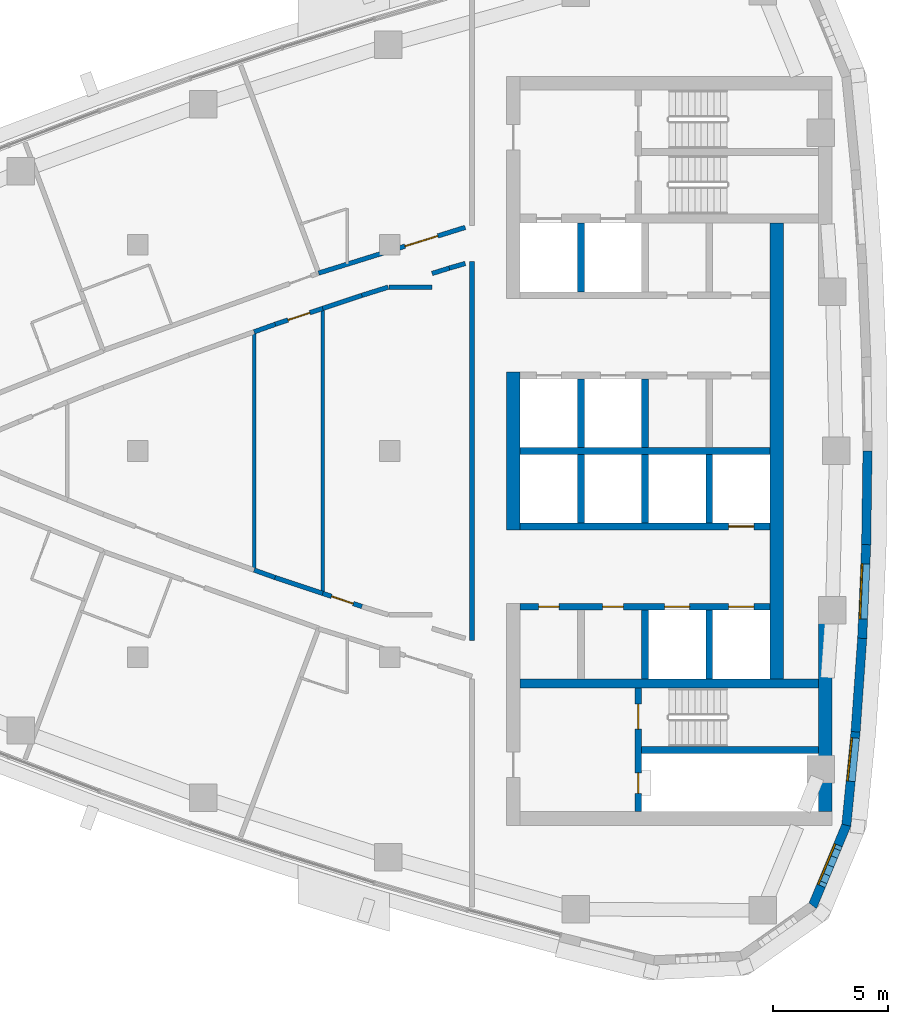
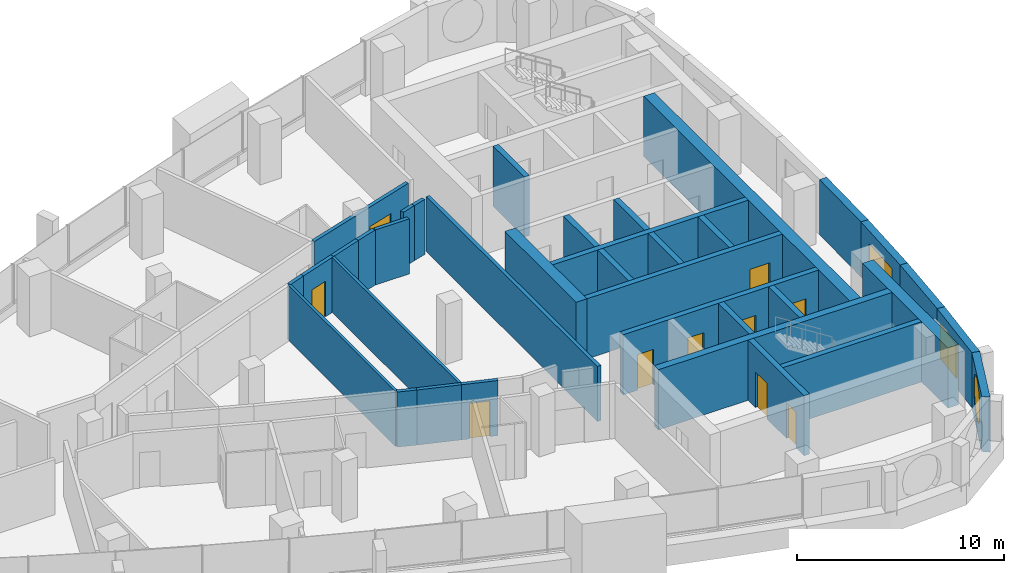
# One storey, part 10 of 16: 36 walls, 10 doors, 3 windows, 13 openings.
"""IFC4 building model written with IfcOpenShell, lengths in metres."""

from ifc_helpers import new_model, si_unit, direction, frame, frame_2d, origin, place, context, subcontext, project, spatial, polyline, rectangle, outline, extrude, material, layer, layer_set, type_object, element, fill, save


model = new_model("IFC4")

# Units and contexts
model_context = context("Model", 3, precision=1e-05, world=origin(), true_north=direction((0.0, 1.0)))
body_context = subcontext(model_context, "Body", "Model", "MODEL_VIEW")
ifc_project = project(units=[si_unit("LENGTHUNIT", "METRE"), si_unit("AREAUNIT", "SQUARE_METRE"), si_unit("VOLUMEUNIT", "CUBIC_METRE"), si_unit("PLANEANGLEUNIT", "RADIAN"), si_unit("MASSUNIT", "GRAM", prefix="KILO")], contexts=[model_context])

# Site, building, storey
site_placement = place(None, origin())
site = spatial("IfcSite", under=ifc_project, at=site_placement, CompositionType="ELEMENT")
building_placement = place(site_placement, origin())
building = spatial("IfcBuilding", under=site, at=building_placement, Name="Ostrand Prow Hotel Tower", CompositionType="ELEMENT")
storey_placement = place(building_placement, frame((0.0, 0.0, 227.89990234375)))
storey = spatial("IfcBuildingStorey", under=building, at=storey_placement, Name="L57", CompositionType="ELEMENT", Elevation=227.89990234375)

# Walls
ifc_material_1 = material(Name="Concrete C50/60", Category="concrete")
ifc_layer_1 = layer(ifc_material_1, 0.300048828125)
ifc_layer_set_1 = layer_set([ifc_layer_1], Name="Concrete C50/60")
wall_type_1 = type_object("IfcWallType", Name="Core wall 300 C50/60", PredefinedType="SHEAR", material=ifc_layer_set_1)
wall_1_placement = place(storey_placement, frame((50.699951171875, 0.0, 0.0), z_axis=(0.0, 0.0, 1.0), x_axis=(1.0, 0.0, 0.0)))
element("IfcWall", 1, at=wall_1_placement, inside=storey, type_object=wall_type_1, Name="Core wall PW-C", PredefinedType="SHEAR", context=body_context, shape_type="SweptSolid", body=[
    extrude(rectangle(XDim=10.900146484375, YDim=0.300048828125, at=frame_2d((5.4501953125, 0.0))), origin(), (0.0, 0.0, 1.0), 3.550048828125),
])
for number, where, z_axis, x_axis, name in (
    (2, (53.35009765625, 0.14990234375, 0.0), (0.0, 0.0, 1.0), (0.0, 1.0, 0.0), "Core wall PW-R1-NB"),
    (3, (53.35009765625, 6.949951171875, 0.0), (0.0, 0.0, 1.0), (0.0, 1.0, 0.0), "Core wall PW-R1-NA"),
    (4, (56.14990234375, 0.14990234375, 0.0), (0.0, 0.0, 1.0), (0.0, 1.0, 0.0), "Core wall PW-R2-NB"),
):
    element("IfcWall", number, at=place(storey_placement, frame(where, z_axis=z_axis, x_axis=x_axis)), inside=storey, type_object=wall_type_1, Name=name, PredefinedType="SHEAR", context=body_context, shape_type="SweptSolid", body=[
        extrude(rectangle(XDim=3.0, YDim=0.300048828125, at=frame_2d((1.5, 0.0))), origin(), (0.0, 0.0, 1.0), 3.550048828125),
    ])

# Wall, opening, door
wall_2_placement = place(storey_placement, frame((50.699951171875, -3.300048828125, 0.0), z_axis=(0.0, 0.0, 1.0), x_axis=(1.0, 0.0, 0.0)))
wall_2 = element("IfcWall", 5, at=wall_2_placement, inside=storey, type_object=wall_type_1, Name="Core wall PW-L1-S", PredefinedType="SHEAR", context=body_context, shape_type="SweptSolid", body=[
    extrude(rectangle(XDim=10.900146484375, YDim=0.300048828125, at=frame_2d((5.4501953125, 0.0))), origin(), (0.0, 0.0, 1.0), 3.550048828125),
])
opening_1_placement = place(wall_2_placement, frame((9.10009765625, 0.0, 0.0)))
opening_1 = element("IfcOpeningElement", 6, at=opening_1_placement, cuts=wall_2, Name="Opening LD", PredefinedType="OPENING", context=body_context, shape_type="SweptSolid", body=[
    extrude(rectangle(XDim=1.10009765625, YDim=2.10009765625, at=frame_2d((0.550048828125, 1.050048828125))), frame((0.0, 0.159912109375, 0.0), z_axis=(0.0, -1.0, 0.0), x_axis=(1.0, 0.0, 0.0)), (0.0, 0.0, 1.0), 0.320068359375),
])
ifc_material_2 = material(Name="Stainless steel door", Category="steel")
door_type_1 = type_object("IfcDoorType", Name="Lift landing door 1100", OperationType="DOUBLE_DOOR_SLIDING", PredefinedType="DOOR", material=ifc_material_2)
door_1_placement = place(opening_1_placement, origin())
door_1 = element("IfcDoor", 7, at=door_1_placement, inside=storey, type_object=door_type_1, Name="LIFT LANDING DOOR", OperationType="DOUBLE_DOOR_SLIDING", OverallHeight=2.10009765625, OverallWidth=1.10009765625, PredefinedType="DOOR", context=body_context, shape_type="SweptSolid", body=[
    extrude(rectangle(XDim=1.10009765625, YDim=2.10009765625, at=frame_2d((0.550048828125, 1.050048828125))), frame((0.0, 0.02490234375, 0.0), z_axis=(0.0, -1.0, 0.0), x_axis=(1.0, 0.0, 0.0)), (0.0, 0.0, 1.0), 0.050048828125),
])
fill(opening_1, door_1)

# Wall, openings, doors
wall_3_placement = place(storey_placement, frame((50.699951171875, -6.800048828125, 0.0), z_axis=(0.0, 0.0, 1.0), x_axis=(1.0, 0.0, 0.0)))
wall_3 = element("IfcWall", 8, at=wall_3_placement, inside=storey, type_object=wall_type_1, Name="Core wall PW-L2-S", PredefinedType="SHEAR", context=body_context, shape_type="SweptSolid", body=[
    extrude(rectangle(XDim=10.900146484375, YDim=0.300048828125, at=frame_2d((5.4501953125, 0.0))), origin(), (0.0, 0.0, 1.0), 3.550048828125),
])
opening_2_placement = place(wall_3_placement, frame((6.300048828125, 0.0, 0.0)))
opening_2 = element("IfcOpeningElement", 9, at=opening_2_placement, cuts=wall_3, Name="Opening LD", PredefinedType="OPENING", context=body_context, shape_type="SweptSolid", body=[
    extrude(rectangle(XDim=1.10009765625, YDim=2.10009765625, at=frame_2d((0.550048828125, 1.050048828125))), frame((0.0, 0.159912109375, 0.0), z_axis=(0.0, -1.0, 0.0), x_axis=(1.0, 0.0, 0.0)), (0.0, 0.0, 1.0), 0.320068359375),
])
opening_3_placement = place(wall_3_placement, frame((9.10009765625, 0.0, 0.0)))
opening_3 = element("IfcOpeningElement", 10, at=opening_3_placement, cuts=wall_3, Name="Opening LD", PredefinedType="OPENING", context=body_context, shape_type="SweptSolid", body=[
    extrude(rectangle(XDim=1.10009765625, YDim=2.10009765625, at=frame_2d((0.550048828125, 1.050048828125))), frame((0.0, 0.159912109375, 0.0), z_axis=(0.0, -1.0, 0.0), x_axis=(1.0, 0.0, 0.0)), (0.0, 0.0, 1.0), 0.320068359375),
])
opening_4_placement = place(wall_3_placement, frame((0.800048828125, 0.0, 0.0)))
opening_4 = element("IfcOpeningElement", 11, at=opening_4_placement, cuts=wall_3, Name="Opening FD2", PredefinedType="OPENING", context=body_context, shape_type="SweptSolid", body=[
    extrude(rectangle(XDim=0.89990234375, YDim=2.10009765625, at=frame_2d((0.449951171875, 1.050048828125))), frame((0.0, 0.159912109375, 0.0), z_axis=(0.0, -1.0, 0.0), x_axis=(1.0, 0.0, 0.0)), (0.0, 0.0, 1.0), 0.320068359375),
])
opening_5_placement = place(wall_3_placement, frame((3.60009765625, 0.0, 0.0)))
opening_5 = element("IfcOpeningElement", 12, at=opening_5_placement, cuts=wall_3, Name="Opening FD2", PredefinedType="OPENING", context=body_context, shape_type="SweptSolid", body=[
    extrude(rectangle(XDim=0.89990234375, YDim=2.10009765625, at=frame_2d((0.449951171875, 1.050048828125))), frame((0.0, 0.159912109375, 0.0), z_axis=(0.0, -1.0, 0.0), x_axis=(1.0, 0.0, 0.0)), (0.0, 0.0, 1.0), 0.320068359375),
])
ifc_material_3 = material(Name="Steel fire door", Category="steel")
door_type_2 = type_object("IfcDoorType", Name="Fire door 900 EI120", OperationType="SINGLE_SWING_LEFT", PredefinedType="DOOR", material=ifc_material_3)
door_2_placement = place(opening_4_placement, origin())
door_2 = element("IfcDoor", 13, at=door_2_placement, inside=storey, type_object=door_type_2, Name="DOOR", OperationType="SINGLE_SWING_LEFT", OverallHeight=2.10009765625, OverallWidth=0.89990234375, PredefinedType="DOOR", context=body_context, shape_type="SweptSolid", body=[
    extrude(rectangle(XDim=0.89990234375, YDim=2.10009765625, at=frame_2d((0.449951171875, 1.050048828125))), frame((0.0, 0.02490234375, 0.0), z_axis=(0.0, -1.0, 0.0), x_axis=(1.0, 0.0, 0.0)), (0.0, 0.0, 1.0), 0.050048828125),
])
fill(opening_4, door_2)
door_3_placement = place(opening_5_placement, origin())
door_3 = element("IfcDoor", 14, at=door_3_placement, inside=storey, type_object=door_type_2, Name="DOOR", OperationType="SINGLE_SWING_LEFT", OverallHeight=2.10009765625, OverallWidth=0.89990234375, PredefinedType="DOOR", context=body_context, shape_type="SweptSolid", body=[
    extrude(rectangle(XDim=0.89990234375, YDim=2.10009765625, at=frame_2d((0.449951171875, 1.050048828125))), frame((0.0, 0.02490234375, 0.0), z_axis=(0.0, -1.0, 0.0), x_axis=(1.0, 0.0, 0.0)), (0.0, 0.0, 1.0), 0.050048828125),
])
fill(opening_5, door_3)
door_4_placement = place(opening_2_placement, origin())
door_4 = element("IfcDoor", 15, at=door_4_placement, inside=storey, type_object=door_type_1, Name="LIFT LANDING DOOR", OperationType="DOUBLE_DOOR_SLIDING", OverallHeight=2.10009765625, OverallWidth=1.10009765625, PredefinedType="DOOR", context=body_context, shape_type="SweptSolid", body=[
    extrude(rectangle(XDim=1.10009765625, YDim=2.10009765625, at=frame_2d((0.550048828125, 1.050048828125))), frame((0.0, 0.02490234375, 0.0), z_axis=(0.0, -1.0, 0.0), x_axis=(1.0, 0.0, 0.0)), (0.0, 0.0, 1.0), 0.050048828125),
])
fill(opening_2, door_4)
door_5_placement = place(opening_3_placement, origin())
door_5 = element("IfcDoor", 16, at=door_5_placement, inside=storey, type_object=door_type_1, Name="LIFT LANDING DOOR", OperationType="DOUBLE_DOOR_SLIDING", OverallHeight=2.10009765625, OverallWidth=1.10009765625, PredefinedType="DOOR", context=body_context, shape_type="SweptSolid", body=[
    extrude(rectangle(XDim=1.10009765625, YDim=2.10009765625, at=frame_2d((0.550048828125, 1.050048828125))), frame((0.0, 0.02490234375, 0.0), z_axis=(0.0, -1.0, 0.0), x_axis=(1.0, 0.0, 0.0)), (0.0, 0.0, 1.0), 0.050048828125),
])
fill(opening_3, door_5)

# Walls
for number, where, z_axis, x_axis, name in (
    (17, (53.35009765625, -3.14990234375, 0.0), (0.0, 0.0, 1.0), (0.0, 1.0, 0.0), "Core wall PW-R1-SB"),
    (18, (56.14990234375, -3.14990234375, 0.0), (0.0, 0.0, 1.0), (0.0, 1.0, 0.0), "Core wall PW-R2-SB"),
    (19, (56.14990234375, -9.949951171875, 0.0), (0.0, 0.0, 1.0), (0.0, 1.0, 0.0), "Core wall PW-R2-SA"),
    (20, (58.949951171875, -3.14990234375, 0.0), (0.0, 0.0, 1.0), (0.0, 1.0, 0.0), "Core wall PW-R3-SB"),
    (21, (58.949951171875, -9.949951171875, 0.0), (0.0, 0.0, 1.0), (0.0, 1.0, 0.0), "Core wall PW-R3-SA"),
):
    element("IfcWall", number, at=place(storey_placement, frame(where, z_axis=z_axis, x_axis=x_axis)), inside=storey, type_object=wall_type_1, Name=name, PredefinedType="SHEAR", context=body_context, shape_type="SweptSolid", body=[
        extrude(rectangle(XDim=3.0, YDim=0.300048828125, at=frame_2d((1.5, 0.0))), origin(), (0.0, 0.0, 1.0), 3.550048828125),
    ])

# Wall, openings, doors
wall_4_placement = place(storey_placement, frame((55.85009765625, -15.75, 0.0), z_axis=(0.0, 0.0, 1.0), x_axis=(0.0, 1.0, 0.0)))
wall_4 = element("IfcWall", 22, at=wall_4_placement, inside=storey, type_object=wall_type_1, Name="Core wall PW-VS", PredefinedType="SHEAR", context=body_context, shape_type="SweptSolid", body=[
    extrude(rectangle(XDim=5.39990234375, YDim=0.300048828125, at=frame_2d((2.699951171875, 0.0))), origin(), (0.0, 0.0, 1.0), 3.550048828125),
])
opening_6_placement = place(wall_4_placement, frame((3.60009765625, 0.0, 0.0)))
opening_6 = element("IfcOpeningElement", 23, at=opening_6_placement, cuts=wall_4, Name="Opening FD1", PredefinedType="OPENING", context=body_context, shape_type="SweptSolid", body=[
    extrude(rectangle(XDim=1.10009765625, YDim=2.10009765625, at=frame_2d((0.550048828125, 1.050048828125))), frame((0.0, 0.159912109375, 0.0), z_axis=(0.0, -1.0, 0.0), x_axis=(1.0, 0.0, 0.0)), (0.0, 0.0, 1.0), 0.320068359375),
])
opening_7_placement = place(wall_4_placement, frame((0.800048828125, 0.0, 0.0)))
opening_7 = element("IfcOpeningElement", 24, at=opening_7_placement, cuts=wall_4, Name="Opening FD2", PredefinedType="OPENING", context=body_context, shape_type="SweptSolid", body=[
    extrude(rectangle(XDim=0.89990234375, YDim=2.10009765625, at=frame_2d((0.449951171875, 1.050048828125))), frame((0.0, 0.159912109375, 0.0), z_axis=(0.0, -1.0, 0.0), x_axis=(1.0, 0.0, 0.0)), (0.0, 0.0, 1.0), 0.320068359375),
])
ifc_material_4 = material(Name="Steel fire door", Category="steel")
door_type_3 = type_object("IfcDoorType", Name="Fire door 1100 EI120", OperationType="SINGLE_SWING_RIGHT", PredefinedType="DOOR", material=ifc_material_4)
door_6_placement = place(opening_6_placement, origin())
door_6 = element("IfcDoor", 25, at=door_6_placement, inside=storey, type_object=door_type_3, Name="FIRE DOOR", OperationType="SINGLE_SWING_RIGHT", OverallHeight=2.10009765625, OverallWidth=1.10009765625, PredefinedType="DOOR", context=body_context, shape_type="SweptSolid", body=[
    extrude(rectangle(XDim=1.10009765625, YDim=2.10009765625, at=frame_2d((0.550048828125, 1.050048828125))), frame((0.0, 0.02490234375, 0.0), z_axis=(0.0, -1.0, 0.0), x_axis=(1.0, 0.0, 0.0)), (0.0, 0.0, 1.0), 0.050048828125),
])
fill(opening_6, door_6)
door_7_placement = place(opening_7_placement, origin())
door_7 = element("IfcDoor", 26, at=door_7_placement, inside=storey, type_object=door_type_2, Name="FIRE DOOR", OperationType="SINGLE_SWING_LEFT", OverallHeight=2.10009765625, OverallWidth=0.89990234375, PredefinedType="DOOR", context=body_context, shape_type="SweptSolid", body=[
    extrude(rectangle(XDim=0.89990234375, YDim=2.10009765625, at=frame_2d((0.449951171875, 1.050048828125))), frame((0.0, 0.02490234375, 0.0), z_axis=(0.0, -1.0, 0.0), x_axis=(1.0, 0.0, 0.0)), (0.0, 0.0, 1.0), 0.050048828125),
])
fill(opening_7, door_7)

# Walls
wall_5_placement = place(storey_placement, frame((56.0, -13.050048828125, 0.0), z_axis=(0.0, 0.0, 1.0), x_axis=(1.0, 0.0, 0.0)))
element("IfcWall", 27, at=wall_5_placement, inside=storey, type_object=wall_type_1, Name="Core wall PW-ST2R", PredefinedType="SHEAR", context=body_context, shape_type="SweptSolid", body=[
    extrude(rectangle(XDim=7.719970703125, YDim=0.300048828125, at=frame_2d((3.85986328125, 0.0))), origin(), (0.0, 0.0, 1.0), 3.550048828125),
])
ifc_material_5 = material(Name="Concrete C50/60", Category="concrete")
ifc_layer_2 = layer(ifc_material_5, 0.39990234375)
ifc_layer_set_2 = layer_set([ifc_layer_2], Name="Concrete C50/60")
wall_type_2 = type_object("IfcWallType", Name="Core wall 400 C50/60", PredefinedType="SHEAR", material=ifc_layer_set_2)
wall_6_placement = place(storey_placement, frame((50.699951171875, -10.14990234375, 0.0), z_axis=(0.0, 0.0, 1.0), x_axis=(1.0, 0.0, 0.0)))
element("IfcWall", 28, at=wall_6_placement, inside=storey, type_object=wall_type_2, Name="Core wall PW-BS", PredefinedType="SHEAR", context=body_context, shape_type="SweptSolid", body=[
    extrude(rectangle(XDim=13.02001953125, YDim=0.39990234375, at=frame_2d((6.510009765625, 0.0))), origin(), (0.0, 0.0, 1.0), 3.550048828125),
])
ifc_material_6 = material(Name="Concrete C50/60", Category="concrete")
ifc_layer_3 = layer(ifc_material_6, 0.60009765625)
ifc_layer_set_3 = layer_set([ifc_layer_3], Name="Concrete C50/60")
wall_type_3 = type_object("IfcWallType", Name="Core wall 600 C50/60", PredefinedType="SHEAR", material=ifc_layer_set_3)
wall_7_placement = place(storey_placement, frame((50.39990234375, -3.449951171875, 0.0), z_axis=(0.0, 0.0, 1.0), x_axis=(0.0, 1.0, 0.0)))
element("IfcWall", 29, at=wall_7_placement, inside=storey, type_object=wall_type_3, Name="Core wall CW-W-C", PredefinedType="SHEAR", context=body_context, shape_type="SweptSolid", body=[
    extrude(rectangle(XDim=6.89990234375, YDim=0.60009765625, at=frame_2d((3.449951171875, 0.0))), origin(), (0.0, 0.0, 1.0), 3.550048828125),
])
wall_8_placement = place(storey_placement, frame((64.02001953125, -15.75, 0.0), z_axis=(0.0, 0.0, 1.0), x_axis=(0.0, 1.0, 0.0)))
element("IfcWall", 30, at=wall_8_placement, inside=storey, type_object=wall_type_3, Name="Core wall CW-E-S", PredefinedType="SHEAR", context=body_context, shape_type="SweptSolid", body=[
    extrude(rectangle(XDim=8.247802734375, YDim=0.60009765625, at=frame_2d((4.1240234375, 0.0))), origin(), (0.0, 0.0, 1.0), 3.550048828125),
])
wall_9_placement = place(storey_placement, frame((61.89990234375, -9.949951171875, 0.0), z_axis=(0.0, 0.0, 1.0), x_axis=(0.0, 1.0, 0.0)))
element("IfcWall", 31, at=wall_9_placement, inside=storey, type_object=wall_type_3, Name="Core wall CW-E-C", PredefinedType="SHEAR", context=body_context, shape_type="SweptSolid", body=[
    extrude(rectangle(XDim=19.89990234375, YDim=0.60009765625, at=frame_2d((9.949951171875, 0.0))), origin(), (0.0, 0.0, 1.0), 3.550048828125),
])
ifc_material_7 = material(Name="Plasterboard partition")
ifc_layer_4 = layer(ifc_material_7, 0.14990234375)
ifc_layer_set_4 = layer_set([ifc_layer_4], Name="Plasterboard partition")
wall_type_4 = type_object("IfcWallType", Name="Partition 150 room partition", PredefinedType="PARTITIONING", material=ifc_layer_set_4)
wall_10_placement = place(storey_placement, frame((39.078369140625, -5.198974609375, 0.0), z_axis=(0.0, 0.0, 1.0), x_axis=(0.0, 1.0, 0.0)))
element("IfcWall", 32, at=wall_10_placement, inside=storey, type_object=wall_type_4, Name="ROOM PARTITION", PredefinedType="PARTITIONING", context=body_context, shape_type="SweptSolid", body=[
    extrude(rectangle(XDim=10.39794921875, YDim=0.14990234375, at=frame_2d((5.198974609375, 0.0))), origin(), (0.0, 0.0, 1.0), 3.25),
])
wall_11_placement = place(storey_placement, frame((42.078369140625, -6.221923828125, 0.0), z_axis=(0.0, 0.0, 1.0), x_axis=(0.0, 1.0, 0.0)))
element("IfcWall", 33, at=wall_11_placement, inside=storey, type_object=wall_type_4, Name="ROOM PARTITION", PredefinedType="PARTITIONING", context=body_context, shape_type="SweptSolid", body=[
    extrude(rectangle(XDim=12.44384765625, YDim=0.14990234375, at=frame_2d((6.221923828125, 0.0))), origin(), (0.0, 0.0, 1.0), 3.25),
])

# Wall, opening, door
ifc_material_8 = material(Name="Plasterboard partition")
ifc_layer_5 = layer(ifc_material_8, 0.199951171875)
ifc_layer_set_5 = layer_set([ifc_layer_5], Name="Plasterboard partition")
wall_type_5 = type_object("IfcWallType", Name="Partition 200 corridor wall", PredefinedType="PARTITIONING", material=ifc_layer_set_5)
wall_12_placement = place(storey_placement, frame((39.999267578125, 5.52734375, 0.0), z_axis=(0.0, 0.0, 1.0), x_axis=(0.9484714727, 0.316862534034, 0.0)))
wall_12 = element("IfcWall", 34, at=wall_12_placement, inside=storey, type_object=wall_type_5, Name="CORRIDOR WALL", PredefinedType="PARTITIONING", context=body_context, shape_type="SweptSolid", body=[
    extrude(rectangle(XDim=2.192138671875, YDim=0.199951171875, at=frame_2d((1.09619140625, 0.0))), origin(), (0.0, 0.0, 1.0), 3.25),
])
opening_8_placement = place(wall_12_placement, frame((0.595947265625, 0.0, 0.0)))
opening_8 = element("IfcOpeningElement", 35, at=opening_8_placement, cuts=wall_12, Name="Opening D1R", PredefinedType="OPENING", context=body_context, shape_type="SweptSolid", body=[
    extrude(rectangle(XDim=1.0, YDim=2.10009765625, at=frame_2d((0.5, 1.050048828125))), frame((0.0, 0.10986328125, 0.0), z_axis=(0.0, -1.0, 0.0), x_axis=(1.0, 0.0, 0.0)), (0.0, 0.0, 1.0), 0.219970703125),
])
ifc_material_9 = material(Name="Timber door leaf", Category="wood")
door_type_4 = type_object("IfcDoorType", Name="Guest room door 1000 right", OperationType="SINGLE_SWING_RIGHT", PredefinedType="DOOR", material=ifc_material_9)
door_8_placement = place(opening_8_placement, origin())
door_8 = element("IfcDoor", 36, at=door_8_placement, inside=storey, type_object=door_type_4, Name="DOOR", OperationType="SINGLE_SWING_RIGHT", OverallHeight=2.10009765625, OverallWidth=1.0, PredefinedType="DOOR", context=body_context, shape_type="SweptSolid", body=[
    extrude(rectangle(XDim=1.0, YDim=2.10009765625, at=frame_2d((0.5, 1.050048828125))), frame((0.0, 0.02490234375, 0.0), z_axis=(0.0, -1.0, 0.0), x_axis=(1.0, 0.0, 0.0)), (0.0, 0.0, 1.0), 0.050048828125),
])
fill(opening_8, door_8)

# Walls
wall_13_placement = place(storey_placement, frame((42.078369140625, -6.221923828125, 0.0), z_axis=(0.0, 0.0, 1.0), x_axis=(-0.9484714727, 0.316862534034, 0.0)))
element("IfcWall", 37, at=wall_13_placement, inside=storey, type_object=wall_type_5, Name="CORRIDOR WALL", PredefinedType="PARTITIONING", context=body_context, shape_type="SweptSolid", body=[
    extrude(rectangle(XDim=2.192138671875, YDim=0.199951171875, at=frame_2d((1.09619140625, 0.0))), origin(), (0.0, 0.0, 1.0), 3.25),
])
for number, where, z_axis, x_axis, name in (
    (38, (39.999267578125, -5.52734375, 0.0), (0.0, 0.0, 1.0), (-0.941911279377, 0.335861789704, 0.0), "CORRIDOR WALL"),
    (39, (39.078369140625, 5.198974609375, 0.0), (0.0, 0.0, 1.0), (0.941911279377, 0.335861789704, 0.0), "CORRIDOR WALL"),
):
    element("IfcWall", number, at=place(storey_placement, frame(where, z_axis=z_axis, x_axis=x_axis)), inside=storey, type_object=wall_type_5, Name=name, PredefinedType="PARTITIONING", context=body_context, shape_type="SweptSolid", body=[
        extrude(rectangle(XDim=0.977783203125, YDim=0.199951171875, at=frame_2d((0.48876953125, 0.0))), origin(), (0.0, 0.0, 1.0), 3.25),
    ])

# Wall, opening, door
wall_14_placement = place(storey_placement, frame((43.788330078125, -6.793212890625, 0.0), z_axis=(0.0, 0.0, 1.0), x_axis=(-0.948466406859, 0.316877697323, 0.0)))
wall_14 = element("IfcWall", 40, at=wall_14_placement, inside=storey, type_object=wall_type_5, Name="CORRIDOR WALL", PredefinedType="PARTITIONING", context=body_context, shape_type="SweptSolid", body=[
    extrude(rectangle(XDim=1.802978515625, YDim=0.199951171875, at=frame_2d((0.9013671875, 0.0))), origin(), (0.0, 0.0, 1.0), 3.25),
])
opening_9_placement = place(wall_14_placement, frame((0.401611328125, 0.0, 0.0)))
opening_9 = element("IfcOpeningElement", 41, at=opening_9_placement, cuts=wall_14, Name="Opening D1", PredefinedType="OPENING", context=body_context, shape_type="SweptSolid", body=[
    extrude(rectangle(XDim=1.0, YDim=2.10009765625, at=frame_2d((0.5, 1.050048828125))), frame((0.0, 0.10986328125, 0.0), z_axis=(0.0, -1.0, 0.0), x_axis=(1.0, 0.0, 0.0)), (0.0, 0.0, 1.0), 0.219970703125),
])
ifc_material_10 = material(Name="Timber door leaf", Category="wood")
door_type_5 = type_object("IfcDoorType", Name="Guest room door 1000", OperationType="SINGLE_SWING_LEFT", PredefinedType="DOOR", material=ifc_material_10)
door_9_placement = place(opening_9_placement, origin())
door_9 = element("IfcDoor", 42, at=door_9_placement, inside=storey, type_object=door_type_5, Name="DOOR", OperationType="SINGLE_SWING_LEFT", OverallHeight=2.10009765625, OverallWidth=1.0, PredefinedType="DOOR", context=body_context, shape_type="SweptSolid", body=[
    extrude(rectangle(XDim=1.0, YDim=2.10009765625, at=frame_2d((0.5, 1.050048828125))), frame((0.0, 0.02490234375, 0.0), z_axis=(0.0, -1.0, 0.0), x_axis=(1.0, 0.0, 0.0)), (0.0, 0.0, 1.0), 0.050048828125),
])
fill(opening_9, door_9)

# Walls
wall_15_placement = place(storey_placement, frame((43.788330078125, 6.793212890625, 0.0), z_axis=(0.0, 0.0, 1.0), x_axis=(0.954693570678, 0.29759063511, 0.0)))
element("IfcWall", 43, at=wall_15_placement, inside=storey, type_object=wall_type_5, Name="CORRIDOR WALL", PredefinedType="PARTITIONING", context=body_context, shape_type="SweptSolid", body=[
    extrude(rectangle(XDim=1.198486328125, YDim=0.199951171875, at=frame_2d((0.59912109375, 0.0))), origin(), (0.0, 0.0, 1.0), 3.25),
])
wall_16_placement = place(storey_placement, frame((46.85009765625, 7.747802734375, 0.0), z_axis=(0.0, 0.0, 1.0), x_axis=(0.95461224237, 0.297851417181, 0.0)))
element("IfcWall", 44, at=wall_16_placement, inside=storey, type_object=wall_type_5, Name="CORRIDOR WALL", PredefinedType="PARTITIONING", context=body_context, shape_type="SweptSolid", body=[
    extrude(rectangle(XDim=0.78759765625, YDim=0.199951171875, at=frame_2d((0.393798828125, 0.0))), origin(), (0.0, 0.0, 1.0), 3.25),
])
wall_17_placement = place(storey_placement, frame((42.078369140625, 6.221923828125, 0.0), z_axis=(0.0, 0.0, 1.0), x_axis=(0.948466406859, 0.316877697323, 0.0)))
element("IfcWall", 45, at=wall_17_placement, inside=storey, type_object=wall_type_5, Name="CORRIDOR WALL", PredefinedType="PARTITIONING", context=body_context, shape_type="SweptSolid", body=[
    extrude(rectangle(XDim=1.802978515625, YDim=0.199951171875, at=frame_2d((0.9013671875, 0.0))), origin(), (0.0, 0.0, 1.0), 3.25),
])

# Wall, opening, door
wall_18_placement = place(storey_placement, frame((41.8984375, 7.764404296875, 0.0), z_axis=(0.0, 0.0, 1.0), x_axis=(0.954667015156, 0.297675813886, 0.0)))
wall_18 = element("IfcWall", 46, at=wall_18_placement, inside=storey, type_object=wall_type_5, Name="CORRIDOR WALL", PredefinedType="PARTITIONING", context=body_context, shape_type="SweptSolid", body=[
    extrude(rectangle(XDim=6.70556640625, YDim=0.199951171875, at=frame_2d((3.352783203125, 0.0))), origin(), (0.0, 0.0, 1.0), 3.25),
])
opening_10_placement = place(wall_18_placement, frame((3.949951171875, 0.0, 0.0)))
opening_10 = element("IfcOpeningElement", 47, at=opening_10_placement, cuts=wall_18, Name="Opening D15", PredefinedType="OPENING", context=body_context, shape_type="SweptSolid", body=[
    extrude(rectangle(XDim=1.5, YDim=2.10009765625, at=frame_2d((0.75, 1.050048828125))), frame((0.0, 0.10986328125, 0.0), z_axis=(0.0, -1.0, 0.0), x_axis=(1.0, 0.0, 0.0)), (0.0, 0.0, 1.0), 0.219970703125),
])
ifc_material_11 = material(Name="Timber door leaf", Category="wood")
door_type_6 = type_object("IfcDoorType", Name="Double door 1500", OperationType="DOUBLE_DOOR_SINGLE_SWING", PredefinedType="DOOR", material=ifc_material_11)
door_10_placement = place(opening_10_placement, origin())
door_10 = element("IfcDoor", 48, at=door_10_placement, inside=storey, type_object=door_type_6, Name="DOOR", OperationType="DOUBLE_DOOR_SINGLE_SWING", OverallHeight=2.10009765625, OverallWidth=1.5, PredefinedType="DOOR", context=body_context, shape_type="SweptSolid", body=[
    extrude(rectangle(XDim=1.5, YDim=2.10009765625, at=frame_2d((0.75, 1.050048828125))), frame((0.0, 0.02490234375, 0.0), z_axis=(0.0, -1.0, 0.0), x_axis=(1.0, 0.0, 0.0)), (0.0, 0.0, 1.0), 0.050048828125),
])
fill(opening_10, door_10)

# Walls
wall_19_placement = place(storey_placement, frame((47.60205078125, 7.982421875, 0.0), z_axis=(0.0, 0.0, 1.0), x_axis=(0.960439023181, 0.278490363839, 0.0)))
element("IfcWall", 49, at=wall_19_placement, inside=storey, type_object=wall_type_5, Name="CORRIDOR WALL", PredefinedType="PARTITIONING", context=body_context, shape_type="SweptSolid", body=[
    extrude(rectangle(XDim=0.726806640625, YDim=0.199951171875, at=frame_2d((0.36328125, 0.0))), origin(), (0.0, 0.0, 1.0), 3.25),
])
wall_20_placement = place(storey_placement, frame((44.972412109375, 7.14501953125, 0.0), z_axis=(0.0, 0.0, 1.0), x_axis=(0.99999999156, 0.000129920747, 0.0)))
element("IfcWall", 50, at=wall_20_placement, inside=storey, type_object=wall_type_5, Name="CORRIDOR WALL", PredefinedType="PARTITIONING", context=body_context, shape_type="SweptSolid", body=[
    extrude(rectangle(XDim=1.879150390625, YDim=0.199951171875, at=frame_2d((0.939453125, 0.0))), origin(), (0.0, 0.0, 1.0), 3.25),
])
wall_21_placement = place(storey_placement, frame((48.594970703125, 8.264892578125, 0.0), z_axis=(0.0, 0.0, 1.0), x_axis=(0.0, -1.0, 0.0)))
element("IfcWall", 51, at=wall_21_placement, inside=storey, type_object=wall_type_5, Name="CORRIDOR WALL", PredefinedType="PARTITIONING", context=body_context, shape_type="SweptSolid", body=[
    extrude(rectangle(XDim=16.52978515625, YDim=0.199951171875, at=frame_2d((8.264892578125, 0.0))), origin(), (0.0, 0.0, 1.0), 3.25),
])

# Wall, opening, window
ifc_material_12 = material(Name="Precast concrete C40/50", Category="concrete")
ifc_layer_6 = layer(ifc_material_12, 0.39990234375)
ifc_layer_set_6 = layer_set([ifc_layer_6], Name="Precast concrete C40/50")
wall_type_6 = type_object("IfcWallType", Name="Stone-faced precast wall 400 mm", PredefinedType="NOTDEFINED", material=ifc_layer_set_6)
wall_22_placement = place(storey_placement, frame((63.471435546875, -19.85791015625, 0.0), z_axis=(0.0, 0.0, 1.0), x_axis=(0.3844335483, 0.923152667191, 0.0)))
wall_22 = element("IfcWall", 52, at=wall_22_placement, inside=storey, type_object=wall_type_6, Name="Stone-faced wall back 4", PredefinedType="NOTDEFINED", context=body_context, shape_type="SweptSolid", body=[
    extrude(outline(polyline([(-0.057861328125, -0.199951171875), (3.84326171875, -0.199951171875), (3.78369140625, 0.199951171875), (0.057861328125, 0.199951171875), (-0.057861328125, -0.199951171875)])), origin(), (0.0, 0.0, 1.0), 3.25),
])
opening_11_placement = place(wall_22_placement, frame((0.806884765625, 0.0, 0.60009765625)))
opening_11 = element("IfcOpeningElement", 53, at=opening_11_placement, cuts=wall_22, Name="Opening WP2", PredefinedType="OPENING", context=body_context, shape_type="SweptSolid", body=[
    extrude(outline(polyline([(0.0, 1.35009765625), (0.083740234375, 1.77099609375), (0.322265625, 2.127685546875), (0.678955078125, 2.3662109375), (1.10009765625, 2.449951171875), (1.52099609375, 2.3662109375), (1.877685546875, 2.127685546875), (2.1162109375, 1.77099609375), (2.199951171875, 1.35009765625), (2.199951171875, 1.10009765625), (2.1162109375, 0.678955078125), (1.877685546875, 0.322265625), (1.52099609375, 0.083740234375), (1.10009765625, 0.0), (0.678955078125, 0.083740234375), (0.322265625, 0.322265625), (0.083740234375, 0.678955078125), (0.0, 1.099853515625), (0.0, 1.35009765625)])), frame((0.0, 0.2099609375, 0.0), z_axis=(0.0, -1.0, 0.0), x_axis=(1.0, 0.0, 0.0)), (0.0, 0.0, 1.0), 0.419921875),
])
ifc_material_13 = material(Name="Insulated glass in bronze frame", Category="glass")
window_type_1 = type_object("IfcWindowType", Name="Round-ended prow lounge window 2200x2450", PartitioningType="SINGLE_PANEL", PredefinedType="WINDOW", material=ifc_material_13)
window_1_placement = place(opening_11_placement, origin())
window_1 = element("IfcWindow", 54, at=window_1_placement, inside=storey, type_object=window_type_1, Name="Window back 4.1", OverallHeight=2.449951171875, OverallWidth=2.199951171875, PartitioningType="SINGLE_PANEL", PredefinedType="WINDOW", context=body_context, shape_type="SweptSolid", body=[
    extrude(outline(polyline([(0.0, 1.35009765625), (0.083740234375, 1.77099609375), (0.322265625, 2.127685546875), (0.678955078125, 2.3662109375), (1.10009765625, 2.449951171875), (1.52099609375, 2.3662109375), (1.877685546875, 2.127685546875), (2.1162109375, 1.77099609375), (2.199951171875, 1.35009765625), (2.199951171875, 1.10009765625), (2.1162109375, 0.678955078125), (1.877685546875, 0.322265625), (1.52099609375, 0.083740234375), (1.10009765625, 0.0), (0.678955078125, 0.083740234375), (0.322265625, 0.322265625), (0.083740234375, 0.678955078125), (0.0, 1.099853515625), (0.0, 1.35009765625)])), frame((0.0, 0.169921875, 0.0), z_axis=(0.0, -1.0, 0.0), x_axis=(1.0, 0.0, 0.0)), (0.0, 0.0, 1.0), 0.06005859375),
])
fill(opening_11, window_1)

wall_23_placement = place(storey_placement, frame((64.9375, -16.33740234375, 0.0), z_axis=(0.0, 0.0, 1.0), x_axis=(0.098718218066, 0.995115427185, 0.0)))
wall_23 = element("IfcWall", 55, at=wall_23_placement, inside=storey, type_object=wall_type_6, Name="Stone-faced wall back 5", PredefinedType="NOTDEFINED", context=body_context, shape_type="SweptSolid", body=[
    extrude(outline(polyline([(-0.02978515625, -0.199951171875), (4.095703125, -0.199951171875), (4.09033203125, 0.199951171875), (0.02978515625, 0.199951171875), (-0.02978515625, -0.199951171875)])), origin(), (0.0, 0.0, 1.0), 3.25),
])
opening_12_placement = place(wall_23_placement, frame((1.92578125, 0.0, 0.5)))
opening_12 = element("IfcOpeningElement", 56, at=opening_12_placement, cuts=wall_23, Name="Opening WA1-19", PredefinedType="OPENING", context=body_context, shape_type="SweptSolid", body=[
    extrude(rectangle(XDim=1.89990234375, YDim=2.0, at=frame_2d((0.949951171875, 1.0))), frame((0.0, 0.2099609375, 0.0), z_axis=(0.0, -1.0, 0.0), x_axis=(1.0, 0.0, 0.0)), (0.0, 0.0, 1.0), 0.419921875),
])
ifc_material_14 = material(Name="Insulated glass in bronze frame", Category="glass")
window_type_2 = type_object("IfcWindowType", Name="Amenity picture window 1900x2000", PartitioningType="SINGLE_PANEL", PredefinedType="WINDOW", material=ifc_material_14)
window_2_placement = place(opening_12_placement, origin())
window_2 = element("IfcWindow", 57, at=window_2_placement, inside=storey, type_object=window_type_2, Name="Window back 5.1", OverallHeight=2.0, OverallWidth=1.89990234375, PartitioningType="SINGLE_PANEL", PredefinedType="WINDOW", context=body_context, shape_type="SweptSolid", body=[
    extrude(rectangle(XDim=1.89990234375, YDim=2.0, at=frame_2d((0.949951171875, 1.0))), frame((0.0, 0.169921875, 0.0), z_axis=(0.0, -1.0, 0.0), x_axis=(1.0, 0.0, 0.0)), (0.0, 0.0, 1.0), 0.06005859375),
])
fill(opening_12, window_2)

# Wall
wall_24_placement = place(storey_placement, frame((65.341552734375, -12.264404296875, 0.0), z_axis=(0.0, 0.0, 1.0), x_axis=(0.070623905352, 0.997503014528, 0.0)))
element("IfcWall", 58, at=wall_24_placement, inside=storey, type_object=wall_type_6, Name="Stone-faced wall back 6", PredefinedType="NOTDEFINED", context=body_context, shape_type="SweptSolid", body=[
    extrude(outline(polyline([(-0.002685546875, -0.199951171875), (4.095703125, -0.199951171875), (4.09033203125, 0.199951171875), (0.002685546875, 0.199951171875), (-0.002685546875, -0.199951171875)])), origin(), (0.0, 0.0, 1.0), 3.25),
])

# Wall, opening, window
wall_25_placement = place(storey_placement, frame((65.630615234375, -8.181640625, 0.0), z_axis=(0.0, 0.0, 1.0), x_axis=(0.042352554594, 0.999102728011, 0.0)))
wall_25 = element("IfcWall", 59, at=wall_25_placement, inside=storey, type_object=wall_type_6, Name="Stone-faced wall back 7", PredefinedType="NOTDEFINED", context=body_context, shape_type="SweptSolid", body=[
    extrude(outline(polyline([(-0.002685546875, -0.199951171875), (4.095458984375, -0.199951171875), (4.090087890625, 0.199951171875), (0.002685546875, 0.199951171875), (-0.002685546875, -0.199951171875)])), origin(), (0.0, 0.0, 1.0), 3.25),
])
opening_13_placement = place(wall_25_placement, frame((0.846435546875, 0.0, 0.5)))
opening_13 = element("IfcOpeningElement", 60, at=opening_13_placement, cuts=wall_25, Name="Opening WA1", PredefinedType="OPENING", context=body_context, shape_type="SweptSolid", body=[
    extrude(rectangle(XDim=2.39990234375, YDim=2.0, at=frame_2d((1.199951171875, 1.0))), frame((0.0, 0.2099609375, 0.0), z_axis=(0.0, -1.0, 0.0), x_axis=(1.0, 0.0, 0.0)), (0.0, 0.0, 1.0), 0.419921875),
])
ifc_material_15 = material(Name="Insulated glass in bronze frame", Category="glass")
window_type_3 = type_object("IfcWindowType", Name="Amenity picture window 2400x2000", PartitioningType="SINGLE_PANEL", PredefinedType="WINDOW", material=ifc_material_15)
window_3_placement = place(opening_13_placement, origin())
window_3 = element("IfcWindow", 61, at=window_3_placement, inside=storey, type_object=window_type_3, Name="Window back 7.1", OverallHeight=2.0, OverallWidth=2.39990234375, PartitioningType="SINGLE_PANEL", PredefinedType="WINDOW", context=body_context, shape_type="SweptSolid", body=[
    extrude(rectangle(XDim=2.39990234375, YDim=2.0, at=frame_2d((1.199951171875, 1.0))), frame((0.0, 0.169921875, 0.0), z_axis=(0.0, -1.0, 0.0), x_axis=(1.0, 0.0, 0.0)), (0.0, 0.0, 1.0), 0.06005859375),
])
fill(opening_13, window_3)

# Wall
wall_26_placement = place(storey_placement, frame((65.803955078125, -4.092529296875, 0.0), z_axis=(0.0, 0.0, 1.0), x_axis=(0.014136867892, 0.99990006949, 0.0)))
element("IfcWall", 62, at=wall_26_placement, inside=storey, type_object=wall_type_6, Name="Stone-faced wall back 8", PredefinedType="NOTDEFINED", context=body_context, shape_type="SweptSolid", body=[
    extrude(outline(polyline([(-0.002685546875, -0.199951171875), (4.095703125, -0.199951171875), (4.09033203125, 0.199951171875), (0.002685546875, 0.199951171875), (-0.002685546875, -0.199951171875)])), origin(), (0.0, 0.0, 1.0), 3.25),
])

save(model, "model.ifc")
